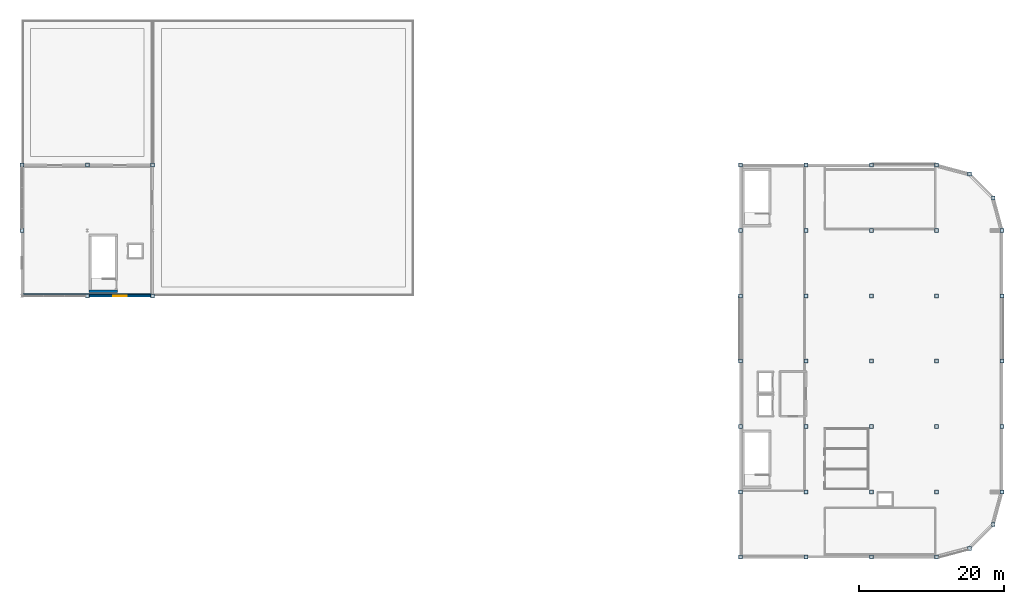
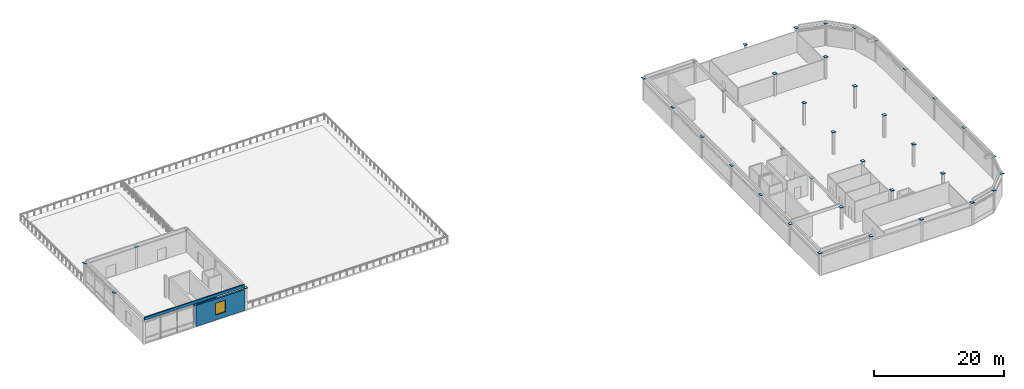
# One storey, part 8 of 14: 43 plates, 3 walls, 1 window, 1 opening.
"""IFC4 building model written with IfcOpenShell, lengths in metres."""

from ifc_helpers import new_model, si_unit, direction, frame, frame_2d, origin, origin_2d, place, context, subcontext, project, spatial, rectangle, extrude, material, layer, layer_set, type_object, element, fill, save


model = new_model("IFC4")

# Units and contexts
model_context = context("Model", 3, precision=1e-05, world=origin(), true_north=direction((0.0, 1.0)))
body_context = subcontext(model_context, "Body", "Model", "MODEL_VIEW")
ifc_project = project(units=[si_unit("LENGTHUNIT", "METRE"), si_unit("AREAUNIT", "SQUARE_METRE"), si_unit("VOLUMEUNIT", "CUBIC_METRE"), si_unit("PLANEANGLEUNIT", "RADIAN"), si_unit("MASSUNIT", "GRAM", prefix="KILO")], contexts=[model_context])

# Site, building, storey
site_placement = place(None, origin())
site = spatial("IfcSite", under=ifc_project, at=site_placement, CompositionType="ELEMENT")
building_placement = place(site_placement, origin())
building = spatial("IfcBuilding", under=site, at=building_placement, Name="Suzunagisa Mobility Hub", CompositionType="ELEMENT")
storey_placement = place(building_placement, frame((0.0, 0.0, 26.10009765625)))
storey = spatial("IfcBuildingStorey", under=building, at=storey_placement, Name="L06", CompositionType="ELEMENT", Elevation=26.10009765625)

# Plates
ifc_material_1 = material(Name="Steel SN490B", Category="steel")
ifc_layer_1 = layer(ifc_material_1, 0.02392578125)
ifc_layer_set_1 = layer_set([ifc_layer_1], Name="Steel SN490B")
plate_type = type_object("IfcPlateType", Name="Structural Steel Plate SP-01 550x550x24", PredefinedType="USERDEFINED", material=ifc_layer_set_1)
for number, where, z_axis, x_axis, name in (
    (1, (45.0, 89.0, 4.139892578125), (0.0, 0.0, 1.0), (1.0, 0.0, 0.0), "L06 Column Cap Plate CP-119"),
    (2, (45.0, 98.0, 4.139892578125), (0.0, 0.0, 1.0), (1.0, 0.0, 0.0), "L06 Column Cap Plate CP-120"),
    (3, (54.0, 80.0, 4.139892578125), (0.0, 0.0, 1.0), (1.0, 0.0, 0.0), "L06 Column Cap Plate CP-129"),
    (4, (54.0, 98.0, 4.139892578125), (0.0, 0.0, 1.0), (1.0, 0.0, 0.0), "L06 Column Cap Plate CP-131"),
    (5, (63.0, 80.0, 4.139892578125), (0.0, 0.0, 1.0), (1.0, 0.0, 0.0), "L06 Column Cap Plate CP-138"),
    (6, (63.0, 98.0, 4.139892578125), (0.0, 0.0, 1.0), (1.0, 0.0, 0.0), "L06 Column Cap Plate CP-140"),
    (7, (144.0, 44.0, 4.139892578125), (0.0, 0.0, 1.0), (1.0, 0.0, 0.0), "L06 Column Cap Plate CP-256"),
    (8, (144.0, 53.0, 4.139892578125), (0.0, 0.0, 1.0), (1.0, 0.0, 0.0), "L06 Column Cap Plate CP-257"),
    (9, (144.0, 62.0, 4.139892578125), (0.0, 0.0, 1.0), (1.0, 0.0, 0.0), "L06 Column Cap Plate CP-258"),
    (10, (144.0, 71.0, 4.139892578125), (0.0, 0.0, 1.0), (1.0, 0.0, 0.0), "L06 Column Cap Plate CP-259"),
    (11, (144.0, 80.0, 4.139892578125), (0.0, 0.0, 1.0), (1.0, 0.0, 0.0), "L06 Column Cap Plate CP-260"),
    (12, (144.0, 89.0, 4.139892578125), (0.0, 0.0, 1.0), (1.0, 0.0, 0.0), "L06 Column Cap Plate CP-261"),
    (13, (144.0, 98.0, 4.139892578125), (0.0, 0.0, 1.0), (1.0, 0.0, 0.0), "L06 Column Cap Plate CP-262"),
    (14, (153.0, 44.0, 4.139892578125), (0.0, 0.0, 1.0), (1.0, 0.0, 0.0), "L06 Column Cap Plate CP-269"),
    (15, (153.0, 53.0, 4.139892578125), (0.0, 0.0, 1.0), (1.0, 0.0, 0.0), "L06 Column Cap Plate CP-270"),
    (16, (153.0, 62.0, 4.139892578125), (0.0, 0.0, 1.0), (1.0, 0.0, 0.0), "L06 Column Cap Plate CP-271"),
    (17, (153.0, 71.0, 4.139892578125), (0.0, 0.0, 1.0), (1.0, 0.0, 0.0), "L06 Column Cap Plate CP-272"),
    (18, (153.0, 80.0, 4.139892578125), (0.0, 0.0, 1.0), (1.0, 0.0, 0.0), "L06 Column Cap Plate CP-273"),
    (19, (153.0, 89.0, 4.139892578125), (0.0, 0.0, 1.0), (1.0, 0.0, 0.0), "L06 Column Cap Plate CP-274"),
    (20, (153.0, 98.0, 4.139892578125), (0.0, 0.0, 1.0), (1.0, 0.0, 0.0), "L06 Column Cap Plate CP-275"),
    (21, (162.0, 44.0, 4.139892578125), (0.0, 0.0, 1.0), (1.0, 0.0, 0.0), "L06 Column Cap Plate CP-288"),
    (22, (162.0, 53.0, 4.139892578125), (0.0, 0.0, 1.0), (1.0, 0.0, 0.0), "L06 Column Cap Plate CP-289"),
    (23, (162.0, 62.0, 4.139892578125), (0.0, 0.0, 1.0), (1.0, 0.0, 0.0), "L06 Column Cap Plate CP-290"),
    (24, (162.0, 71.0, 4.139892578125), (0.0, 0.0, 1.0), (1.0, 0.0, 0.0), "L06 Column Cap Plate CP-291"),
    (25, (162.0, 80.0, 4.139892578125), (0.0, 0.0, 1.0), (1.0, 0.0, 0.0), "L06 Column Cap Plate CP-292"),
    (26, (162.0, 89.0, 4.139892578125), (0.0, 0.0, 1.0), (1.0, 0.0, 0.0), "L06 Column Cap Plate CP-293"),
    (27, (162.0, 98.0, 4.139892578125), (0.0, 0.0, 1.0), (1.0, 0.0, 0.0), "L06 Column Cap Plate CP-294"),
    (28, (171.0, 44.0, 4.139892578125), (0.0, 0.0, 1.0), (1.0, 0.0, 0.0), "L06 Column Cap Plate CP-301"),
    (29, (171.0, 53.0, 4.139892578125), (0.0, 0.0, 1.0), (1.0, 0.0, 0.0), "L06 Column Cap Plate CP-302"),
    (30, (171.0, 62.0, 4.139892578125), (0.0, 0.0, 1.0), (1.0, 0.0, 0.0), "L06 Column Cap Plate CP-303"),
    (31, (171.0, 71.0, 4.139892578125), (0.0, 0.0, 1.0), (1.0, 0.0, 0.0), "L06 Column Cap Plate CP-304"),
    (32, (171.0, 80.0, 4.139892578125), (0.0, 0.0, 1.0), (1.0, 0.0, 0.0), "L06 Column Cap Plate CP-305"),
    (33, (171.0, 89.0, 4.139892578125), (0.0, 0.0, 1.0), (1.0, 0.0, 0.0), "L06 Column Cap Plate CP-306"),
    (34, (171.0, 98.0, 4.139892578125), (0.0, 0.0, 1.0), (1.0, 0.0, 0.0), "L06 Column Cap Plate CP-307"),
    (35, (175.5, 45.205810546875, 4.139892578125), (0.0, 0.0, 1.0), (1.0, 0.0, 0.0), "L06 Column Cap Plate CP-312"),
    (36, (175.5, 96.794189453125, 4.139892578125), (0.0, 0.0, 1.0), (1.0, 0.0, 0.0), "L06 Column Cap Plate CP-313"),
    (37, (178.794189453125, 48.5, 4.139892578125), (0.0, 0.0, 1.0), (1.0, 0.0, 0.0), "L06 Column Cap Plate CP-318"),
    (38, (178.794189453125, 93.5, 4.139892578125), (0.0, 0.0, 1.0), (1.0, 0.0, 0.0), "L06 Column Cap Plate CP-319"),
    (39, (180.0, 53.0, 4.139892578125), (0.0, 0.0, 1.0), (1.0, 0.0, 0.0), "L06 Column Cap Plate CP-326"),
    (40, (180.0, 62.0, 4.139892578125), (0.0, 0.0, 1.0), (1.0, 0.0, 0.0), "L06 Column Cap Plate CP-327"),
    (41, (180.0, 71.0, 4.139892578125), (0.0, 0.0, 1.0), (1.0, 0.0, 0.0), "L06 Column Cap Plate CP-328"),
    (42, (180.0, 80.0, 4.139892578125), (0.0, 0.0, 1.0), (1.0, 0.0, 0.0), "L06 Column Cap Plate CP-329"),
    (43, (180.0, 89.0, 4.139892578125), (0.0, 0.0, 1.0), (1.0, 0.0, 0.0), "L06 Column Cap Plate CP-330"),
):
    element("IfcPlate", number, at=place(storey_placement, frame(where, z_axis=z_axis, x_axis=x_axis)), inside=storey, type_object=plate_type, Name=name, ObjectType="BASE PLATE", PredefinedType="USERDEFINED", context=body_context, shape_type="SweptSolid", body=[
        extrude(rectangle(XDim=0.550048828125, YDim=0.550048828125, at=origin_2d()), origin(), (0.0, 0.0, 1.0), 0.02392578125),
    ])

# Wall
ifc_material_2 = material(Name="Concrete C30/37", Category="concrete")
ifc_layer_2 = layer(ifc_material_2, 0.219970703125)
ifc_layer_set_2 = layer_set([ifc_layer_2], Name="Concrete C30/37")
wall_type_1 = type_object("IfcWallType", Name="Exterior Wall EW-05 220mm", PredefinedType="PARAPET", material=ifc_layer_set_2)
wall_1_placement = place(storey_placement, frame((62.85009765625, 80.14990234375, 4.199951171875), z_axis=(0.0, 0.0, 1.0), x_axis=(-1.0, 0.0, 0.0)))
element("IfcWall", 44, at=wall_1_placement, inside=storey, type_object=wall_type_1, Name="Roof Penthouse Parapet PR-530", PredefinedType="PARAPET", context=body_context, shape_type="SweptSolid", body=[
    extrude(rectangle(XDim=17.7001953125, YDim=0.219970703125, at=frame_2d((8.85009765625, 0.0))), origin(), (0.0, 0.0, 1.0), 0.52001953125),
])

# Wall, opening, window
ifc_material_3 = material(Name="Insulated Precast Concrete C35/45 Panel", Category="concrete")
ifc_layer_3 = layer(ifc_material_3, 0.300048828125)
ifc_layer_set_3 = layer_set([ifc_layer_3], Name="Insulated Precast Concrete C35/45 Panel")
wall_type_2 = type_object("IfcWallType", Name="Exterior Wall EW-09 300mm", PredefinedType="SOLIDWALL", material=ifc_layer_set_3)
wall_2_placement = place(storey_placement, frame((54.175048828125, 80.0, 0.0), z_axis=(0.0, 0.0, 1.0), x_axis=(1.0, 0.0, 0.0)))
wall_2 = element("IfcWall", 45, at=wall_2_placement, inside=storey, type_object=wall_type_2, Name="L06 Exterior Facade Wall EW-256", PredefinedType="SOLIDWALL", context=body_context, shape_type="SweptSolid", body=[
    extrude(rectangle(XDim=8.64990234375, YDim=0.300048828125, at=frame_2d((4.324951171875, 0.0))), origin(), (0.0, 0.0, 1.0), 3.93994140625),
])
opening_placement = place(wall_2_placement, frame((3.425048828125, 0.0, 0.949951171875)))
opening = element("IfcOpeningElement", 46, at=opening_placement, cuts=wall_2, Name="Opening WN-13", PredefinedType="OPENING", context=body_context, shape_type="SweptSolid", body=[
    extrude(rectangle(XDim=1.800048828125, YDim=2.199951171875, at=frame_2d((0.89990234375, 1.10009765625))), frame((0.0, 0.1611328125, 0.0), z_axis=(0.0, -1.0, 0.0), x_axis=(1.0, 0.0, 0.0)), (0.0, 0.0, 1.0), 0.322021484375),
])
ifc_material_4 = material(Name="Thermally Broken Anodized Aluminum and Low-E Double Glazing", Category="aluminium")
window_type = type_object("IfcWindowType", Name="Aluminum Window WN-13 1800x2200", PartitioningType="SINGLE_PANEL", PredefinedType="WINDOW", material=ifc_material_4)
window_placement = place(opening_placement, origin())
window = element("IfcWindow", 47, at=window_placement, inside=storey, type_object=window_type, Name="L06 Scheduled Facade Window WN-87", OverallHeight=2.199951171875, OverallWidth=1.800048828125, PartitioningType="SINGLE_PANEL", PredefinedType="WINDOW", context=body_context, shape_type="SweptSolid", body=[
    extrude(rectangle(XDim=1.800048828125, YDim=2.199951171875, at=frame_2d((0.89990234375, 1.10009765625))), frame((0.0, 0.030029296875, 0.0), z_axis=(0.0, -1.0, 0.0), x_axis=(1.0, 0.0, 0.0)), (0.0, 0.0, 1.0), 0.06005859375),
])
fill(opening, window)

# Wall
ifc_material_5 = material(Name="Concrete C35/45", Category="concrete")
ifc_layer_4 = layer(ifc_material_5, 0.31005859375)
ifc_layer_set_4 = layer_set([ifc_layer_4], Name="Concrete C35/45")
wall_type_3 = type_object("IfcWallType", Name="Interior Wall IW-01 310mm", PredefinedType="SHEAR", material=ifc_layer_set_4)
wall_3_placement = place(storey_placement, frame((54.25, 80.64501953125, 0.0), z_axis=(0.0, 0.0, 1.0), x_axis=(1.0, 0.0, 0.0)))
element("IfcWall", 48, at=wall_3_placement, inside=storey, type_object=wall_type_3, Name="L06 Core C3 Shear Wall SW-237", PredefinedType="SHEAR", context=body_context, shape_type="SweptSolid", body=[
    extrude(rectangle(XDim=3.89990234375, YDim=0.31005859375, at=frame_2d((1.949951171875, 0.0))), origin(), (0.0, 0.0, 1.0), 3.93994140625),
])

save(model, "model.ifc")
